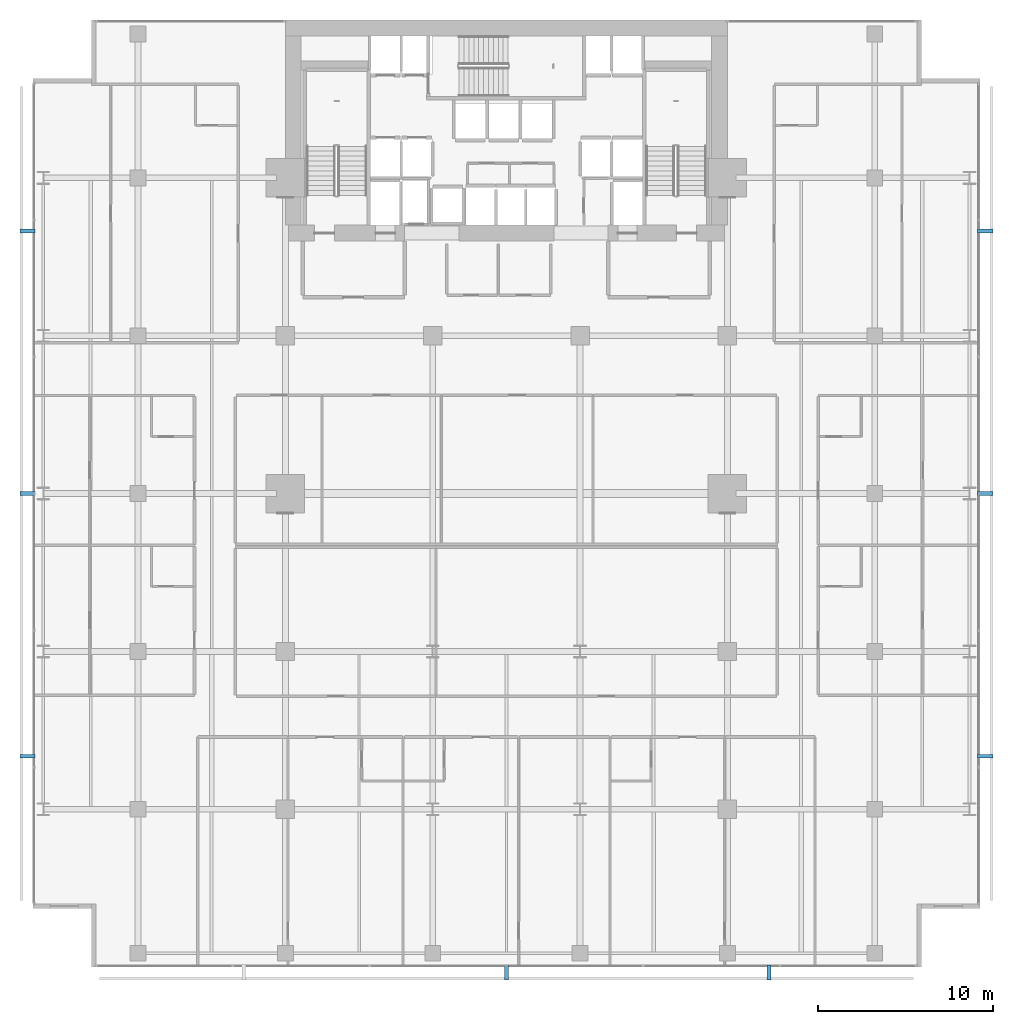
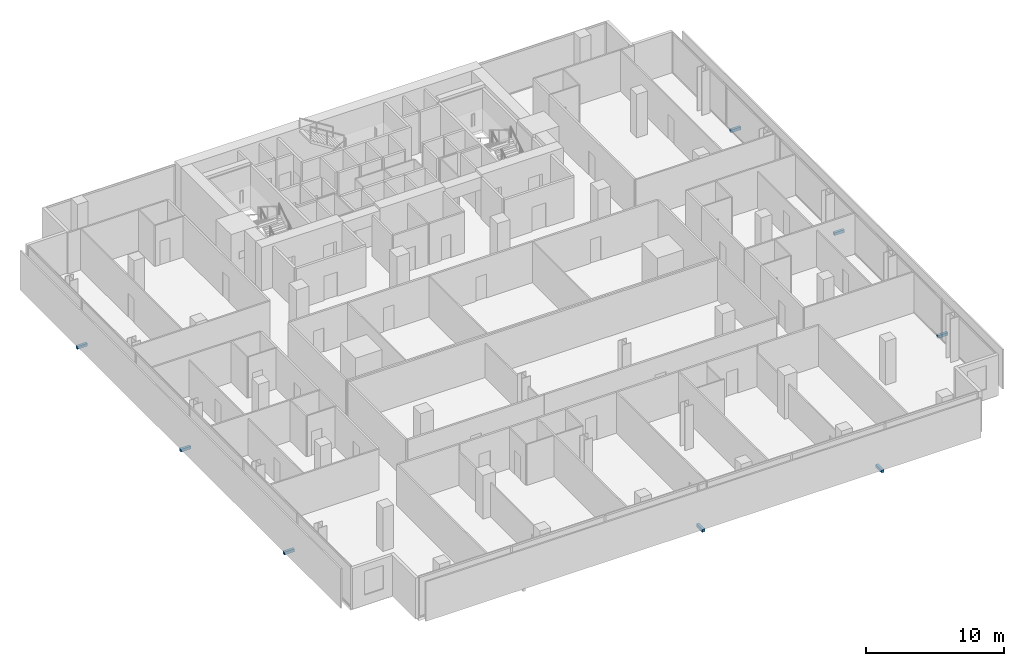
# One storey, part 38 of 40: 8 discrete accessories.
"""IFC4 building model written with IfcOpenShell, lengths in metres."""

from ifc_helpers import new_model, si_unit, direction, frame, origin, origin_2d, place, context, subcontext, project, spatial, rectangle, extrude, material, type_object, element, save


model = new_model("IFC4")

# Units and contexts
model_context = context("Model", 3, precision=1e-05, world=origin(), true_north=direction((0.0, 1.0)))
body_context = subcontext(model_context, "Body", "Model", "MODEL_VIEW")
ifc_project = project(units=[si_unit("LENGTHUNIT", "METRE"), si_unit("AREAUNIT", "SQUARE_METRE"), si_unit("VOLUMEUNIT", "CUBIC_METRE"), si_unit("PLANEANGLEUNIT", "RADIAN"), si_unit("MASSUNIT", "GRAM", prefix="KILO")], contexts=[model_context])

# Site, building, storey
site_placement = place(None, origin())
site = spatial("IfcSite", under=ifc_project, at=site_placement, CompositionType="ELEMENT")
building_placement = place(site_placement, origin())
building = spatial("IfcBuilding", under=site, at=building_placement, Name="Maruvema Waterfront Hotel and Observation Tower", CompositionType="ELEMENT")
storey_placement = place(building_placement, frame((0.0, 0.0, 73.14990234375)))
storey = spatial("IfcBuildingStorey", under=building, at=storey_placement, Name="L17", CompositionType="ELEMENT", Elevation=73.14990234375)

# Discrete accessories
ifc_material = material(Name="Duplex stainless steel Grade 2205", Category="steel")
discrete_accessory_type = type_object("IfcDiscreteAccessoryType", Name="Double-Skin Cavity Stainless Outrigger Bracket", PredefinedType="BRACKET", material=ifc_material)
for number, where, z_axis, x_axis, name in (
    (1, (37.800048828125, -0.300048828125, -0.14013671875), (0.0, 0.0, 1.0), (1.0, 0.0, 0.0), "L17 Outer Skin Support Bracket 2"),
    (2, (52.77587890625, -0.300048828125, -0.14013671875), (0.0, 0.0, 1.0), (1.0, 0.0, 0.0), "L17 Outer Skin Support Bracket 3"),
    (3, (65.10009765625, 12.02392578125, -0.14013671875), (0.0, 0.0, 1.0), (0.0, 1.0, 0.0), "L17 Outer Skin Support Bracket 1"),
    (4, (65.10009765625, 27.0, -0.14013671875), (0.0, 0.0, 1.0), (0.0, 1.0, 0.0), "L17 Outer Skin Support Bracket 2"),
    (5, (65.10009765625, 41.97607421875, -0.14013671875), (0.0, 0.0, 1.0), (0.0, 1.0, 0.0), "L17 Outer Skin Support Bracket 3"),
    (6, (10.5, 41.97607421875, -0.14013671875), (0.0, 0.0, 1.0), (0.0, -1.0, 0.0), "L17 Outer Skin Support Bracket 1"),
    (7, (10.5, 27.0, -0.14013671875), (0.0, 0.0, 1.0), (0.0, -1.0, 0.0), "L17 Outer Skin Support Bracket 2"),
    (8, (10.5, 12.02392578125, -0.14013671875), (0.0, 0.0, 1.0), (0.0, -1.0, 0.0), "L17 Outer Skin Support Bracket 3"),
):
    element("IfcDiscreteAccessory", number, at=place(storey_placement, frame(where, z_axis=z_axis, x_axis=x_axis)), inside=storey, type_object=discrete_accessory_type, Name=name, PredefinedType="BRACKET", context=body_context, shape_type="SweptSolid", body=[
        extrude(rectangle(XDim=0.219970703125, YDim=0.860107421875, at=origin_2d()), origin(), (0.0, 0.0, 1.0), 0.239990234375),
    ])

save(model, "model.ifc")
